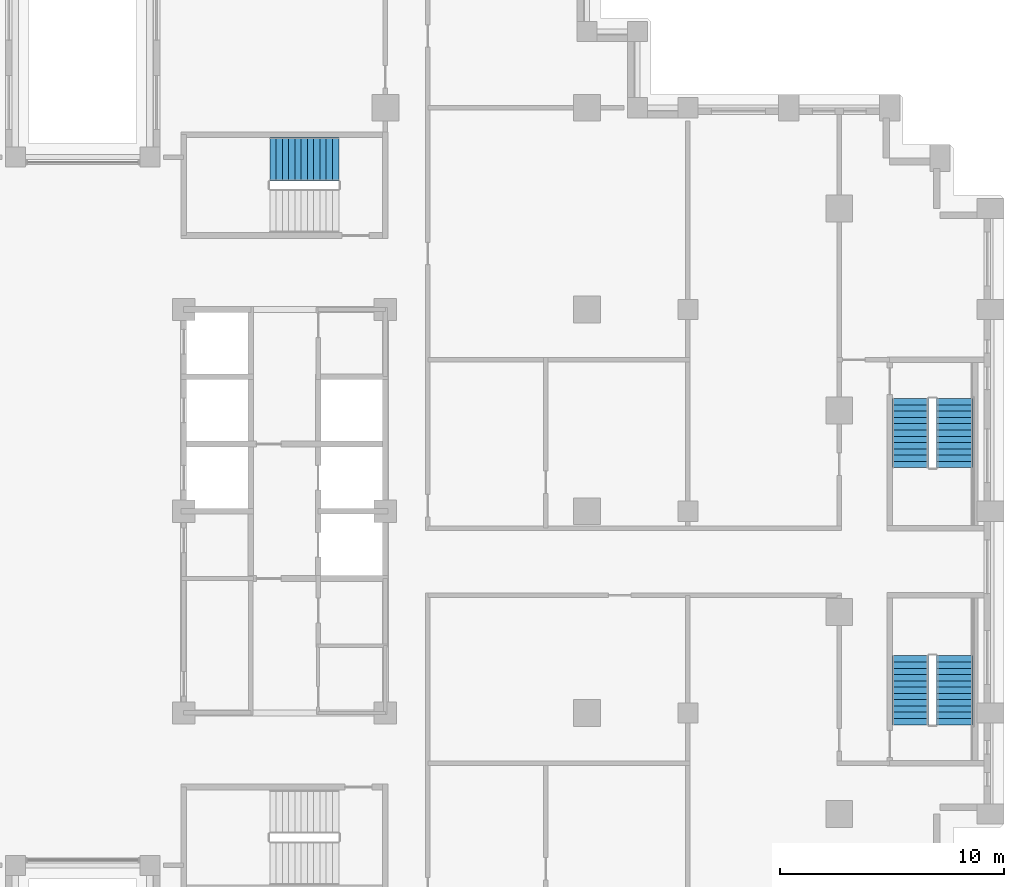
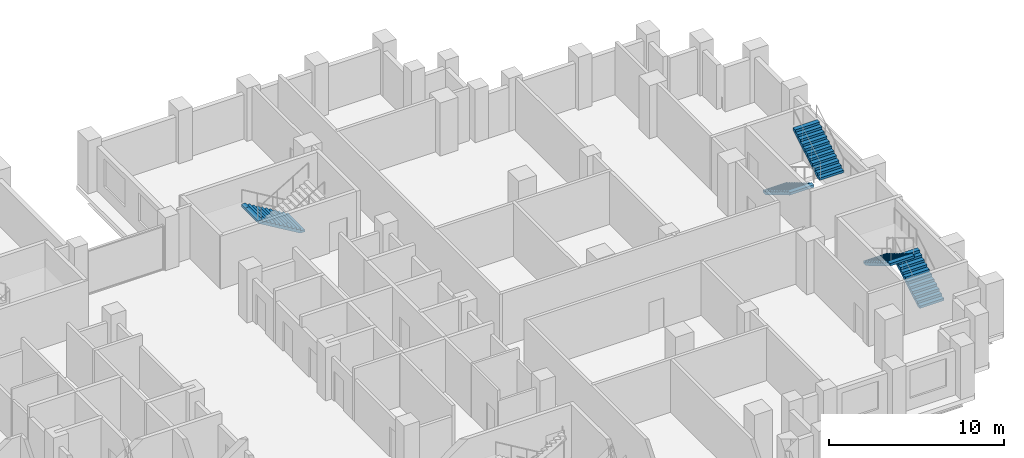
# One storey, part 14 of 16: 5 stair flights, 3 elements without a shape of their own.
"""IFC4 building model written with IfcOpenShell, lengths in metres."""

from ifc_helpers import new_model, si_unit, direction, frame, origin, place, context, subcontext, project, spatial, polyline, outline, extrude, material, type_object, element, aggregate, save


model = new_model("IFC4")

# Units and contexts
model_context = context("Model", 3, precision=1e-05, world=origin(), true_north=direction((0.0, 1.0)))
body_context = subcontext(model_context, "Body", "Model", "MODEL_VIEW")
ifc_project = project(units=[si_unit("LENGTHUNIT", "METRE"), si_unit("AREAUNIT", "SQUARE_METRE"), si_unit("VOLUMEUNIT", "CUBIC_METRE"), si_unit("PLANEANGLEUNIT", "RADIAN"), si_unit("MASSUNIT", "GRAM", prefix="KILO")], contexts=[model_context])

# Site, building, storey
site_placement = place(None, origin())
site = spatial("IfcSite", under=ifc_project, at=site_placement, CompositionType="ELEMENT")
building_placement = place(site_placement, origin())
building = spatial("IfcBuilding", under=site, at=building_placement, Name="Corbelhall Arena Tower", CompositionType="ELEMENT")
storey_placement = place(building_placement, frame((0.0, 0.0, 76.0)))
storey = spatial("IfcBuildingStorey", under=building, at=storey_placement, Name="L11", CompositionType="ELEMENT", Elevation=76.0)

# Stair, stair flight
ifc_material = material(Name="Concrete C40/50", Category="concrete")
stair_type = type_object("IfcStairType", Name="IN-ST-TOWER", PredefinedType="HALF_TURN_STAIR", material=ifc_material)
stair_1_placement = place(storey_placement, origin())
stair_1 = element("IfcStair", 1, at=stair_1_placement, inside=storey, type_object=stair_type, Name="L11 Exit stair ST3", PredefinedType="HALF_TURN_STAIR")
stair_flight_type = type_object("IfcStairFlightType", Name="IN-SFL-RC", PredefinedType="STRAIGHT", material=ifc_material)
stair_flight_1_placement = place(storey_placement, frame((11.425048828125, 15.699951171875, 0.0), z_axis=(0.0, 0.0, 1.0), x_axis=(-1.0, 0.0, 0.0)))
stair_flight_1 = element("IfcStairFlight", 2, at=stair_flight_1_placement, type_object=stair_flight_type, Name="ST3 flight 1", NumberOfRisers=12, NumberOfTreads=11, PredefinedType="STRAIGHT", RiserHeight=0.166666667, TreadLength=0.28, context=body_context, shape_type="SweptSolid", body=[
    extrude(outline(polyline([(0.0, 0.0), (0.0, 0.166748046875), (0.280029296875, 0.166748046875), (0.280029296875, 0.333251953125), (0.56005859375, 0.333251953125), (0.56005859375, 0.5), (0.840087890625, 0.5), (0.840087890625, 0.666748046875), (1.1201171875, 0.666748046875), (1.1201171875, 0.833251953125), (1.39990234375, 0.833251953125), (1.39990234375, 1.0), (1.679931640625, 1.0), (1.679931640625, 1.166748046875), (1.9599609375, 1.166748046875), (1.9599609375, 1.333251953125), (2.239990234375, 1.333251953125), (2.239990234375, 1.5), (2.52001953125, 1.5), (2.52001953125, 1.666748046875), (2.800048828125, 1.666748046875), (2.800048828125, 1.833251953125), (3.080078125, 1.833251953125), (3.080078125, 2.0), (3.080078125, 1.658935546875), (0.29296875, 0.0), (0.0, 0.0)])), frame((0.0, 0.97509765625, 0.0), z_axis=(0.0, -1.0, 0.0), x_axis=(1.0, 0.0, 0.0)), (0.0, 0.0, 1.0), 0.449951171875),
    extrude(outline(polyline([(0.0, 0.0), (0.0, 0.166748046875), (0.280029296875, 0.166748046875), (0.280029296875, 0.333251953125), (0.56005859375, 0.333251953125), (0.56005859375, 0.5), (0.840087890625, 0.5), (0.840087890625, 0.666748046875), (1.1201171875, 0.666748046875), (1.1201171875, 0.833251953125), (1.39990234375, 0.833251953125), (1.39990234375, 1.0), (1.679931640625, 1.0), (1.679931640625, 1.166748046875), (1.9599609375, 1.166748046875), (1.9599609375, 1.333251953125), (2.239990234375, 1.333251953125), (2.239990234375, 1.5), (2.52001953125, 1.5), (2.52001953125, 1.666748046875), (2.800048828125, 1.666748046875), (2.800048828125, 1.833251953125), (3.080078125, 1.833251953125), (3.080078125, 2.0), (3.080078125, 1.658935546875), (0.29296875, 0.0), (0.0, 0.0)])), frame((0.0, 0.52099609375, 0.0), z_axis=(0.0, -1.0, 0.0), x_axis=(1.0, 0.0, 0.0)), (0.0, 0.0, 1.0), 1.0419921875),
    extrude(outline(polyline([(0.0, 0.0), (0.0, 0.166748046875), (0.280029296875, 0.166748046875), (0.280029296875, 0.333251953125), (0.56005859375, 0.333251953125), (0.56005859375, 0.5), (0.840087890625, 0.5), (0.840087890625, 0.666748046875), (1.1201171875, 0.666748046875), (1.1201171875, 0.833251953125), (1.39990234375, 0.833251953125), (1.39990234375, 1.0), (1.679931640625, 1.0), (1.679931640625, 1.166748046875), (1.9599609375, 1.166748046875), (1.9599609375, 1.333251953125), (2.239990234375, 1.333251953125), (2.239990234375, 1.5), (2.52001953125, 1.5), (2.52001953125, 1.666748046875), (2.800048828125, 1.666748046875), (2.800048828125, 1.833251953125), (3.080078125, 1.833251953125), (3.080078125, 2.0), (3.080078125, 1.658935546875), (0.29296875, 0.0), (0.0, 0.0)])), frame((0.0, -0.52490234375, 0.0), z_axis=(0.0, -1.0, 0.0), x_axis=(1.0, 0.0, 0.0)), (0.0, 0.0, 1.0), 0.449951171875),
])
aggregate(stair_1, [stair_flight_1])

# Stair, stair flights
stair_2_placement = place(storey_placement, origin())
stair_2 = element("IfcStair", 3, at=stair_2_placement, inside=storey, type_object=stair_type, Name="L11 Exit stair SD1", PredefinedType="HALF_TURN_STAIR")
stair_flight_2_placement = place(storey_placement, frame((38.89990234375, -9.52490234375, 0.0), z_axis=(0.0, 0.0, 1.0), x_axis=(0.0, 1.0, 0.0)))
stair_flight_2 = element("IfcStairFlight", 4, at=stair_flight_2_placement, type_object=stair_flight_type, Name="SD1 flight 1", NumberOfRisers=12, NumberOfTreads=11, PredefinedType="STRAIGHT", RiserHeight=0.166666667, TreadLength=0.28, context=body_context, shape_type="SweptSolid", body=[
    extrude(outline(polyline([(0.0, 0.0), (0.0, 0.166748046875), (0.280029296875, 0.166748046875), (0.280029296875, 0.333251953125), (0.56005859375, 0.333251953125), (0.56005859375, 0.5), (0.840087890625, 0.5), (0.840087890625, 0.666748046875), (1.1201171875, 0.666748046875), (1.1201171875, 0.833251953125), (1.39990234375, 0.833251953125), (1.39990234375, 1.0), (1.679931640625, 1.0), (1.679931640625, 1.166748046875), (1.9599609375, 1.166748046875), (1.9599609375, 1.333251953125), (2.239990234375, 1.333251953125), (2.239990234375, 1.5), (2.52001953125, 1.5), (2.52001953125, 1.666748046875), (2.800048828125, 1.666748046875), (2.800048828125, 1.833251953125), (3.080078125, 1.833251953125), (3.080078125, 2.0), (3.080078125, 1.658935546875), (0.29296875, 0.0), (0.0, 0.0)])), frame((0.0, 0.800048828125, 0.0), z_axis=(0.0, -1.0, 0.0), x_axis=(1.0, 0.0, 0.0)), (0.0, 0.0, 1.0), 1.60009765625),
])
stair_flight_3_placement = place(storey_placement, frame((36.925048828125, -6.445068359375, 2.0), z_axis=(0.0, 0.0, 1.0), x_axis=(0.0, -1.0, 0.0)))
stair_flight_3 = element("IfcStairFlight", 5, at=stair_flight_3_placement, type_object=stair_flight_type, Name="SD1 flight 2", NumberOfRisers=12, NumberOfTreads=11, PredefinedType="STRAIGHT", RiserHeight=0.166666667, TreadLength=0.28, context=body_context, shape_type="SweptSolid", body=[
    extrude(outline(polyline([(0.0, 0.0), (0.0, 0.166748046875), (0.280029296875, 0.166748046875), (0.280029296875, 0.333251953125), (0.56005859375, 0.333251953125), (0.56005859375, 0.5), (0.840087890625, 0.5), (0.840087890625, 0.666748046875), (1.1201171875, 0.666748046875), (1.1201171875, 0.833251953125), (1.39990234375, 0.833251953125), (1.39990234375, 1.0), (1.679931640625, 1.0), (1.679931640625, 1.166748046875), (1.9599609375, 1.166748046875), (1.9599609375, 1.333251953125), (2.239990234375, 1.333251953125), (2.239990234375, 1.5), (2.52001953125, 1.5), (2.52001953125, 1.666748046875), (2.800048828125, 1.666748046875), (2.800048828125, 1.833251953125), (3.080078125, 1.833251953125), (3.080078125, 2.0), (3.080078125, 1.658935546875), (0.29296875, 0.0), (0.0, 0.0)])), frame((0.0, 0.800048828125, 0.0), z_axis=(0.0, -1.0, 0.0), x_axis=(1.0, 0.0, 0.0)), (0.0, 0.0, 1.0), 1.60009765625),
])
aggregate(stair_2, [stair_flight_2, stair_flight_3])

stair_3_placement = place(storey_placement, origin())
stair_3 = element("IfcStair", 6, at=stair_3_placement, inside=storey, type_object=stair_type, Name="L11 Exit stair SD2", PredefinedType="HALF_TURN_STAIR")
stair_flight_4_placement = place(storey_placement, frame((36.925048828125, 5.02490234375, 0.0), z_axis=(0.0, 0.0, 1.0), x_axis=(0.0, -1.0, 0.0)))
stair_flight_4 = element("IfcStairFlight", 7, at=stair_flight_4_placement, type_object=stair_flight_type, Name="SD2 flight 1", NumberOfRisers=12, NumberOfTreads=11, PredefinedType="STRAIGHT", RiserHeight=0.166666667, TreadLength=0.28, context=body_context, shape_type="SweptSolid", body=[
    extrude(outline(polyline([(0.0, 0.0), (0.0, 0.166748046875), (0.280029296875, 0.166748046875), (0.280029296875, 0.333251953125), (0.56005859375, 0.333251953125), (0.56005859375, 0.5), (0.840087890625, 0.5), (0.840087890625, 0.666748046875), (1.1201171875, 0.666748046875), (1.1201171875, 0.833251953125), (1.39990234375, 0.833251953125), (1.39990234375, 1.0), (1.679931640625, 1.0), (1.679931640625, 1.166748046875), (1.9599609375, 1.166748046875), (1.9599609375, 1.333251953125), (2.239990234375, 1.333251953125), (2.239990234375, 1.5), (2.52001953125, 1.5), (2.52001953125, 1.666748046875), (2.800048828125, 1.666748046875), (2.800048828125, 1.833251953125), (3.080078125, 1.833251953125), (3.080078125, 2.0), (3.080078125, 1.658935546875), (0.29296875, 0.0), (0.0, 0.0)])), frame((0.0, 0.800048828125, 0.0), z_axis=(0.0, -1.0, 0.0), x_axis=(1.0, 0.0, 0.0)), (0.0, 0.0, 1.0), 1.60009765625),
])
stair_flight_5_placement = place(storey_placement, frame((38.89990234375, 1.945068359375, 2.0), z_axis=(0.0, 0.0, 1.0), x_axis=(0.0, 1.0, 0.0)))
stair_flight_5 = element("IfcStairFlight", 8, at=stair_flight_5_placement, type_object=stair_flight_type, Name="SD2 flight 2", NumberOfRisers=12, NumberOfTreads=11, PredefinedType="STRAIGHT", RiserHeight=0.166666667, TreadLength=0.28, context=body_context, shape_type="SweptSolid", body=[
    extrude(outline(polyline([(0.0, 0.0), (0.0, 0.166748046875), (0.280029296875, 0.166748046875), (0.280029296875, 0.333251953125), (0.56005859375, 0.333251953125), (0.56005859375, 0.5), (0.840087890625, 0.5), (0.840087890625, 0.666748046875), (1.1201171875, 0.666748046875), (1.1201171875, 0.833251953125), (1.39990234375, 0.833251953125), (1.39990234375, 1.0), (1.679931640625, 1.0), (1.679931640625, 1.166748046875), (1.9599609375, 1.166748046875), (1.9599609375, 1.333251953125), (2.239990234375, 1.333251953125), (2.239990234375, 1.5), (2.52001953125, 1.5), (2.52001953125, 1.666748046875), (2.800048828125, 1.666748046875), (2.800048828125, 1.833251953125), (3.080078125, 1.833251953125), (3.080078125, 2.0), (3.080078125, 1.658935546875), (0.29296875, 0.0), (0.0, 0.0)])), frame((0.0, 0.800048828125, 0.0), z_axis=(0.0, -1.0, 0.0), x_axis=(1.0, 0.0, 0.0)), (0.0, 0.0, 1.0), 1.60009765625),
])
aggregate(stair_3, [stair_flight_4, stair_flight_5])

save(model, "model.ifc")
